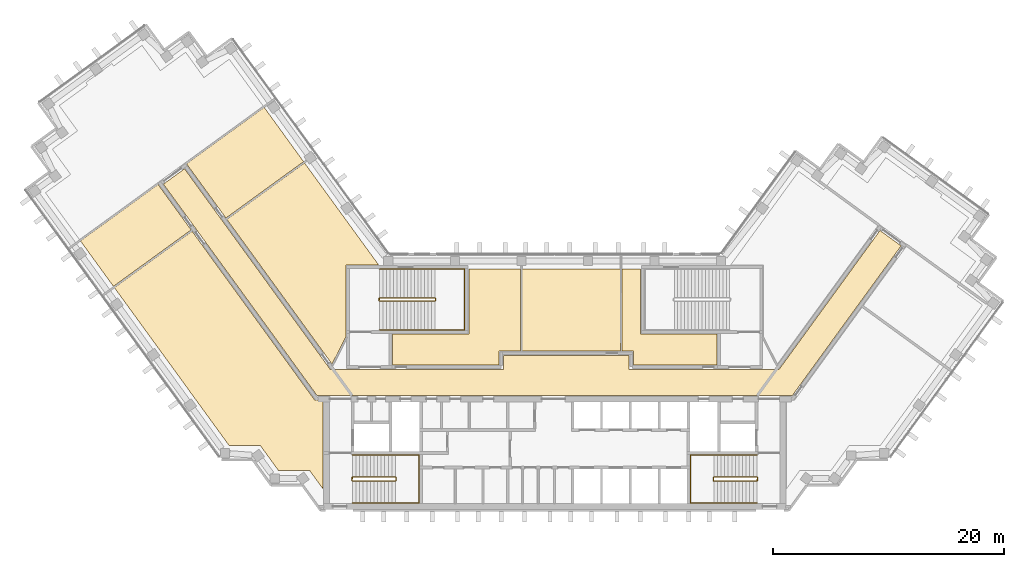
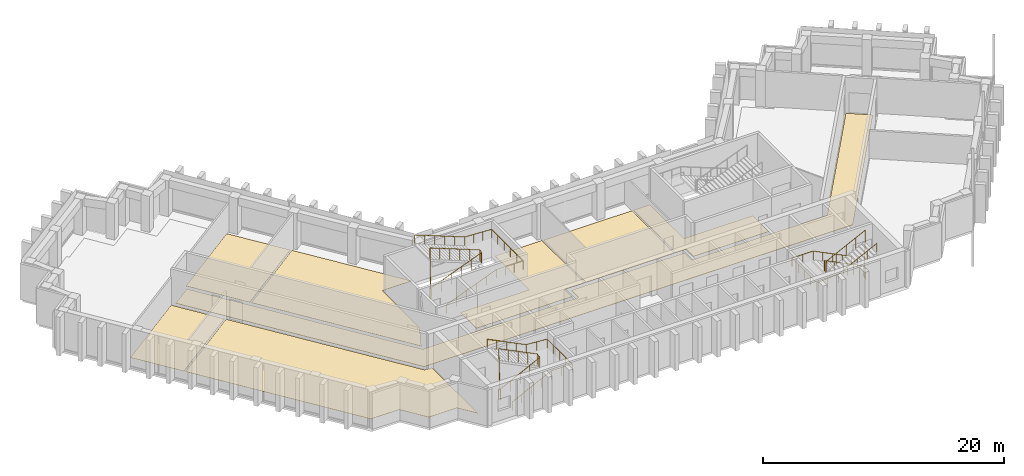
# One storey, part 8 of 9: 8 coverings, 6 railings.
"""IFC4 building model written with IfcOpenShell, lengths in metres."""

import ifcopenshell
import ifcopenshell.guid

model = None  # the IFC model being written
_history = None  # IfcOwnerHistory: only IFC2X3 demands one
_inside = {}  # id of a spatial element -> (the spatial element, [elements in it])
_under = {}  # id of a project, library or spatial element -> (it, [spatial elements below it])
_declared = {}  # id of a project -> (the project, [libraries it declares])
_typed = {}  # id of a type object -> (the type object, [elements of that type])
_made_of = {}  # id of a material, layer set ... -> (it, [elements and type objects made of it])


def new_model(schema):
    """Start an empty IFC model of exactly this schema.

    Asked for "IFC4X3", IfcOpenShell would pick the latest addendum, in which some entities
    have other attributes; the version numbers below select the first issue.
    IFC2X3 requires an IfcOwnerHistory on every rooted entity: one is made here for all.
    """
    global model, _history
    if schema == "IFC4X3":
        model = ifcopenshell.file(schema_version=(4, 3, 0, 0))
    else:
        model = ifcopenshell.file(schema=schema)
    _inside.clear()
    _under.clear()
    _declared.clear()
    _typed.clear()
    _made_of.clear()
    _history = None
    if model.schema == "IFC2X3":
        org = make("IfcOrganization", Name="unknown")
        user = make(
            "IfcPersonAndOrganization",
            ThePerson=make("IfcPerson", FamilyName="unknown"),
            TheOrganization=org,
        )
        app = make(
            "IfcApplication",
            ApplicationDeveloper=org,
            Version="unknown",
            ApplicationFullName="unknown",
            ApplicationIdentifier="unknown",
        )
        _history = make(
            "IfcOwnerHistory",
            OwningUser=user,
            OwningApplication=app,
            ChangeAction="ADDED",
            CreationDate=0,
        )
    return model


def make(cls, **values):
    """One entity of the class cls with the attributes given. An attribute that is None is left unset."""
    return model.create_entity(
        cls, **{name: value for name, value in values.items() if value is not None}
    )


def rooted(cls, **values):
    """An entity with a GlobalId (a new one), such as an element, a storey or a relation."""
    return make(cls, GlobalId=ifcopenshell.guid.new(), OwnerHistory=_history, **values)


def si_unit(unit_type, name, prefix=None):
    """IfcSIUnit, for example si_unit("LENGTHUNIT", "METRE", prefix="MILLI")."""
    return make("IfcSIUnit", UnitType=unit_type, Prefix=prefix, Name=name)


def assignment(units):
    """IfcUnitAssignment: the units of a project."""
    return None if units is None else make("IfcUnitAssignment", Units=units)


def point(xyz):
    """IfcCartesianPoint."""
    return None if xyz is None else make("IfcCartesianPoint", Coordinates=xyz)


def direction(xyz):
    """IfcDirection."""
    return None if xyz is None else make("IfcDirection", DirectionRatios=xyz)


def frame(location, z_axis=None, x_axis=None):
    """IfcAxis2Placement3D, a coordinate frame: its origin and axes. An axis left out is left unset."""
    return make(
        "IfcAxis2Placement3D",
        Location=point(location),
        Axis=direction(z_axis),
        RefDirection=direction(x_axis),
    )


def frame_2d(location, x_axis=None):
    """IfcAxis2Placement2D, a coordinate frame in the plane: its origin and x axis."""
    return make(
        "IfcAxis2Placement2D", Location=point(location), RefDirection=direction(x_axis)
    )


def origin():
    """The frame at (0, 0, 0) with its axes left unset."""
    return frame((0.0, 0.0, 0.0))


def origin_2d():
    """The frame at (0, 0) in the plane with its x axis left unset."""
    return frame_2d((0.0, 0.0))


def place(relative_to, where):
    """IfcLocalPlacement: puts the frame where relative to a parent placement (None: the world)."""
    return make(
        "IfcLocalPlacement", PlacementRelTo=relative_to, RelativePlacement=where
    )


def context(
    kind, dimensions, precision=None, world=None, true_north=None, identifier=None
):
    """IfcGeometricRepresentationContext, for example the 3D "Model" context."""
    return make(
        "IfcGeometricRepresentationContext",
        ContextIdentifier=identifier,
        ContextType=kind,
        CoordinateSpaceDimension=dimensions,
        Precision=precision,
        WorldCoordinateSystem=world,
        TrueNorth=true_north,
    )


def subcontext(parent, identifier, kind, view, scale=None):
    """IfcGeometricRepresentationSubContext, for example "Body" below "Model"."""
    return make(
        "IfcGeometricRepresentationSubContext",
        ContextIdentifier=identifier,
        ContextType=kind,
        ParentContext=parent,
        TargetScale=scale,
        TargetView=view,
    )


def project(units=None, contexts=None):
    """IfcProject with its units and contexts."""
    return rooted(
        "IfcProject",
        Name="project",
        RepresentationContexts=contexts,
        UnitsInContext=assignment(units),
    )


def spatial(cls, under=None, at=None, **own):
    """A site, building, storey or space (cls), placed at a placement, below another one or the project."""
    s = rooted(cls, ObjectPlacement=at, **own)
    if under is not None:
        _under.setdefault(under.id(), (under, []))[1].append(s)
    return s


def polyline(points):
    """IfcPolyline through the points."""
    return make("IfcPolyline", Points=[point(p) for p in points])


def profile(cls, at=None, kind="AREA", **sizes):
    """A parametric profile (cls). Its sizes go by their IFC names, for example OverallWidth=200.0."""
    return make(cls, ProfileType=kind, Position=at, **sizes)


def circle(**sizes):
    """IfcCircleProfileDef."""
    return profile("IfcCircleProfileDef", **sizes)


def outline(outer, holes=None, kind="AREA"):
    """IfcArbitraryClosedProfileDef: a profile drawn as a closed curve; with holes, ...WithVoids."""
    if holes is None:
        return make("IfcArbitraryClosedProfileDef", ProfileType=kind, OuterCurve=outer)
    return make(
        "IfcArbitraryProfileDefWithVoids",
        ProfileType=kind,
        OuterCurve=outer,
        InnerCurves=holes,
    )


def extrude(swept, where, along, depth):
    """IfcExtrudedAreaSolid: the profile swept, set in the frame where, extruded along a direction by depth."""
    return make(
        "IfcExtrudedAreaSolid",
        SweptArea=swept,
        Position=where,
        ExtrudedDirection=direction(along),
        Depth=depth,
    )


def shape(context_of_items, identifier, shape_type, items):
    """IfcShapeRepresentation: the items that make up one representation, for example the "Body"."""
    return make(
        "IfcShapeRepresentation",
        ContextOfItems=context_of_items,
        RepresentationIdentifier=identifier,
        RepresentationType=shape_type,
        Items=items,
    )


def material(Name=None, Category=None):
    """IfcMaterial."""
    return make("IfcMaterial", Name=Name, Category=Category)


def layer(
    of_material, thickness, ventilated=None, Name=None, Category=None, Priority=None
):
    """IfcMaterialLayer: one layer of a wall or slab, of a material (None: an air gap)."""
    return make(
        "IfcMaterialLayer",
        Material=of_material,
        LayerThickness=thickness,
        IsVentilated=ventilated,
        Name=Name,
        Category=Category,
        Priority=Priority,
    )


def layer_set(layers, Name=None):
    """IfcMaterialLayerSet."""
    return make("IfcMaterialLayerSet", MaterialLayers=layers, LayerSetName=Name)


def made_of(thing, what):
    """Note that an element or type object is made of a material, layer set ...; save() writes the relation."""
    if what is not None:
        _made_of.setdefault(what.id(), (what, []))[1].append(thing)
    return thing


def type_object(cls, material=None, **own):
    """A type object (cls), such as IfcWallType, which elements share."""
    return made_of(rooted(cls, **own), material)


def element(
    cls,
    number,
    at=None,
    inside=None,
    cuts=None,
    type_object=None,
    material=None,
    context=None,
    identifier="Body",
    shape_type=None,
    held_by="IfcProductDefinitionShape",
    body=None,
    shapes=None,
    **own,
):
    """One element of the class cls, such as IfcWall. Its Tag is "e" and its number.

    at: its placement. inside: the storey or other place that contains it. cuts: it is an
    opening in that element (IfcRelVoidsElement). A single representation is given by context,
    identifier, shape_type and body (its items); several are given by shapes. held_by: the class
    of the entity that holds the representations. save() writes the other relations.
    """
    e = rooted(cls, Tag="e%d" % number, ObjectPlacement=at, **own)
    if body is not None:
        shapes = [shape(context, identifier, shape_type, body)]
    if shapes is not None:
        e.Representation = make(held_by, Representations=shapes)
    if inside is not None:
        _inside.setdefault(inside.id(), (inside, []))[1].append(e)
    if cuts is not None:
        rooted(
            "IfcRelVoidsElement", RelatingBuildingElement=cuts, RelatedOpeningElement=e
        )
    if type_object is not None:
        _typed.setdefault(type_object.id(), (type_object, []))[1].append(e)
    return made_of(e, material)


def aggregate(whole, parts):
    """IfcRelAggregates: a whole, such as a stair, and the parts it consists of."""
    return rooted("IfcRelAggregates", RelatingObject=whole, RelatedObjects=parts)


def save(model, path):
    """Write the relations noted so far, then the file.

    IfcRelAggregates (storeys below a building ...), IfcRelContainedInSpatialStructure (elements
    in a storey), IfcRelDefinesByType, IfcRelAssociatesMaterial and IfcRelDeclares: one each for
    every whole, place, type object, material and project.
    """
    for whole, parts in _under.values():
        aggregate(whole, parts)
    for where, things in _inside.values():
        rooted(
            "IfcRelContainedInSpatialStructure",
            RelatedElements=things,
            RelatingStructure=where,
        )
    for kind, things in _typed.values():
        rooted("IfcRelDefinesByType", RelatedObjects=things, RelatingType=kind)
    for what, things in _made_of.values():
        rooted("IfcRelAssociatesMaterial", RelatedObjects=things, RelatingMaterial=what)
    for by, libraries in _declared.values():
        rooted("IfcRelDeclares", RelatingContext=by, RelatedDefinitions=libraries)
    model.write(path)


model = new_model("IFC4")

# Units and contexts
model_context = context("Model", 3, precision=1e-05, world=origin(), true_north=direction((0.0, 1.0)))
body_context = subcontext(model_context, "Body", "Model", "MODEL_VIEW")
ifc_project = project(units=[si_unit("LENGTHUNIT", "METRE"), si_unit("AREAUNIT", "SQUARE_METRE"), si_unit("VOLUMEUNIT", "CUBIC_METRE"), si_unit("PLANEANGLEUNIT", "RADIAN"), si_unit("MASSUNIT", "GRAM", prefix="KILO")], contexts=[model_context])

# Site, building, storey
site_placement = place(None, origin())
site = spatial("IfcSite", under=ifc_project, at=site_placement, CompositionType="ELEMENT")
building_placement = place(site_placement, origin())
building = spatial("IfcBuilding", under=site, at=building_placement, Name="Quipu Civic Tower", CompositionType="ELEMENT")
storey_placement = place(building_placement, frame((0.0, 0.0, 214.0)))
storey = spatial("IfcBuildingStorey", under=building, at=storey_placement, Name="L50", CompositionType="ELEMENT", Elevation=214.0)

# Coverings
ifc_material_1 = material(Name="Carpet tile on raised access floor")
ifc_layer_1 = layer(ifc_material_1, 0.02001953125)
ifc_layer_set_1 = layer_set([ifc_layer_1], Name="Carpet tile on raised access floor")
covering_type_1 = type_object("IfcCoveringType", Name="Carpet tile floor finish 20", PredefinedType="FLOORING", material=ifc_layer_set_1)
covering_1_placement = place(storey_placement, origin())
element("IfcCovering", 1, at=covering_1_placement, inside=storey, type_object=covering_type_1, Name="Carpet tile floor finish 20", PredefinedType="FLOORING", context=body_context, shape_type="SweptSolid", body=[
    extrude(outline(polyline([(-2.80908203125, 2.719970703125), (-2.80908203125, 9.830078125), (5.68798828125, 9.830078125), (5.68798828125, 2.719970703125), (-2.80908203125, 2.719970703125)])), origin(), (0.0, 0.0, 1.0), 0.02001953125),
])
covering_2_placement = place(storey_placement, origin())
element("IfcCovering", 2, at=covering_2_placement, inside=storey, type_object=covering_type_1, Name="Carpet tile floor finish 20", PredefinedType="FLOORING", context=body_context, shape_type="SweptSolid", body=[
    extrude(outline(polyline([(-28.37109375, 14.10888671875), (-21.64794921875, 18.992919921875), (-15.238037109375, 10.169921875), (-18.070068359375, 10.1689453125), (-18.070068359375, 3.94189453125), (-19.27197265625, 1.583984375), (-28.37109375, 14.10888671875)])), origin(), (0.0, 0.0, 1.0), 0.02001953125),
])
covering_3_placement = place(storey_placement, origin())
element("IfcCovering", 3, at=covering_3_placement, inside=storey, type_object=covering_type_1, Name="Carpet tile floor finish 20", PredefinedType="FLOORING", context=body_context, shape_type="SweptSolid", body=[
    extrude(outline(polyline([(-31.865966796875, 18.9189453125), (-25.14306640625, 23.802978515625), (-21.73095703125, 19.10595703125), (-28.4541015625, 14.221923828125), (-31.865966796875, 18.9189453125)])), origin(), (0.0, 0.0, 1.0), 0.02001953125),
])
covering_4_placement = place(storey_placement, origin())
element("IfcCovering", 4, at=covering_4_placement, inside=storey, type_object=covering_type_1, Name="Carpet tile floor finish 20", PredefinedType="FLOORING", context=body_context, shape_type="SweptSolid", body=[
    extrude(outline(polyline([(-38.10693359375, 8.198974609375), (-31.383056640625, 13.08203125), (-20.77490234375, -1.51904296875), (-20.070068359375, -1.52001953125), (-20.070068359375, -9.195068359375), (-21.196044921875, -7.64599609375), (-23.89501953125, -7.64599609375), (-25.48193359375, -5.4619140625), (-28.181884765625, -5.4609375), (-38.10693359375, 8.198974609375)])), origin(), (0.0, 0.0, 1.0), 0.02001953125),
])
covering_5_placement = place(storey_placement, origin())
element("IfcCovering", 5, at=covering_5_placement, inside=storey, type_object=covering_type_1, Name="Carpet tile floor finish 20", PredefinedType="FLOORING", context=body_context, shape_type="SweptSolid", body=[
    extrude(outline(polyline([(-41.048095703125, 12.2470703125), (-34.324951171875, 17.131103515625), (-31.466064453125, 13.195068359375), (-38.18994140625, 8.31201171875), (-41.048095703125, 12.2470703125)])), origin(), (0.0, 0.0, 1.0), 0.02001953125),
])
ifc_material_2 = material(Name="Ceramic floor tile")
ifc_layer_2 = layer(ifc_material_2, 0.030029296875)
ifc_layer_set_2 = layer_set([ifc_layer_2], Name="Ceramic floor tile")
covering_type_2 = type_object("IfcCoveringType", Name="Ceramic tile floor finish 30", PredefinedType="FLOORING", material=ifc_layer_set_2)
covering_6_placement = place(storey_placement, origin())
element("IfcCovering", 6, at=covering_6_placement, inside=storey, type_object=covering_type_2, Name="Ceramic tile floor finish 30", PredefinedType="FLOORING", context=body_context, shape_type="SweptSolid", body=[
    extrude(outline(polyline([(-14.030029296875, 1.52001953125), (-14.030029296875, 4.179931640625), (-7.429931640625, 4.180908203125), (-7.429931640625, 9.830078125), (-2.948974609375, 9.830078125), (-2.948974609375, 2.719970703125), (-4.819091796875, 2.719970703125), (-4.820068359375, 1.52001953125), (-14.030029296875, 1.52001953125)])), origin(), (0.0, 0.0, 1.0), 0.030029296875),
])
covering_7_placement = place(storey_placement, origin())
element("IfcCovering", 7, at=covering_7_placement, inside=storey, type_object=covering_type_2, Name="Ceramic tile floor finish 30", PredefinedType="FLOORING", context=body_context, shape_type="SweptSolid", body=[
    extrude(outline(polyline([(5.827880859375, 2.719970703125), (5.827880859375, 9.830078125), (7.429931640625, 9.830078125), (7.430908203125, 4.179931640625), (14.030029296875, 4.179931640625), (14.030029296875, 1.52001953125), (6.820068359375, 1.52001953125), (6.820068359375, 2.718994140625), (5.827880859375, 2.719970703125)])), origin(), (0.0, 0.0, 1.0), 0.030029296875),
])

# Railings
ifc_material_3 = material(Name="Stainless steel", Category="steel")
railing_type_1 = type_object("IfcRailingType", Name="Stair guard 1100", PredefinedType="GUARDRAIL", material=ifc_material_3)
railing_1_placement = place(storey_placement, frame((-17.5, -8.550048828125, 0.15380859375)))
element("IfcRailing", 8, at=railing_1_placement, inside=storey, type_object=railing_type_1, Name="Stair 1 guard", PredefinedType="GUARDRAIL", context=body_context, shape_type="SweptSolid", body=[
    extrude(circle(Radius=0.02392578125, at=origin_2d()), frame((0.0, 0.0, 1.076171875), z_axis=(0.895751851347, 0.0, 0.444554407028), x_axis=(0.0, 1.0, 0.0)), (0.0, 0.0, 1.0), 4.15283203125),
    extrude(circle(Radius=0.02392578125, at=origin_2d()), frame((3.719970703125, 0.0, 2.92236328125), z_axis=(0.707106781187, 0.707106781187, 0.0), x_axis=(-0.707106781187, 0.707106781187, 0.0)), (0.0, 0.0, 1.0), 0.07080078125),
    extrude(circle(Radius=0.02392578125, at=origin_2d()), frame((3.77001953125, 0.050048828125, 2.92236328125), z_axis=(0.0, 1.0, 0.0), x_axis=(-1.0, 0.0, 0.0)), (0.0, 0.0, 1.0), 0.25),
    extrude(circle(Radius=0.02392578125, at=origin_2d()), frame((3.77001953125, 0.300048828125, 2.92236328125), z_axis=(-0.295599637079, 0.295599637079, 0.908428152975), x_axis=(-0.707106781187, -0.707106781187, 0.0)), (0.0, 0.0, 1.0), 0.16943359375),
    extrude(circle(Radius=0.02392578125, at=origin_2d()), frame((3.719970703125, 0.35009765625, 3.076171875), z_axis=(-0.895751851347, 0.0, 0.444554407028), x_axis=(0.0, -1.0, 0.0)), (0.0, 0.0, 1.0), 4.15283203125),
    extrude(circle(Radius=0.02392578125, at=origin_2d()), frame((0.0, 0.35009765625, 4.92236328125), z_axis=(-0.012476181752, -0.074796231092, -0.997120789425), x_axis=(0.986372223864, -0.164529134168, 0.0)), (0.0, 0.0, 1.0), 4.011474609375),
    extrude(circle(Radius=0.02392578125, at=origin_2d()), frame((-0.050048828125, 0.050048828125, 0.92236328125), z_axis=(0.0, 1.0, 0.0), x_axis=(-1.0, 0.0, 0.0)), (0.0, 0.0, 1.0), 0.25),
    extrude(circle(Radius=0.02099609375, at=origin_2d()), origin(), (0.0, 0.0, 1.0), 1.052001953125),
    extrude(circle(Radius=0.02099609375, at=origin_2d()), frame((0.929931640625, 0.0, 0.46142578125)), (0.0, 0.0, 1.0), 1.052001953125),
    extrude(circle(Radius=0.02099609375, at=origin_2d()), frame((1.85986328125, 0.0, 0.923095703125)), (0.0, 0.0, 1.0), 1.052001953125),
    extrude(circle(Radius=0.02099609375, at=origin_2d()), frame((2.7900390625, 0.0, 1.384765625)), (0.0, 0.0, 1.0), 1.052001953125),
    extrude(circle(Radius=0.02099609375, at=origin_2d()), frame((3.719970703125, 0.0, 1.84619140625)), (0.0, 0.0, 1.0), 1.052001953125),
    extrude(circle(Radius=0.02099609375, at=origin_2d()), frame((3.77001953125, 0.050048828125, 1.84619140625)), (0.0, 0.0, 1.0), 1.052001953125),
    extrude(circle(Radius=0.02099609375, at=origin_2d()), frame((3.77001953125, 0.300048828125, 1.84619140625)), (0.0, 0.0, 1.0), 1.052001953125),
    extrude(circle(Radius=0.02099609375, at=origin_2d()), frame((3.719970703125, 0.35009765625, 2.0)), (0.0, 0.0, 1.0), 1.052001953125),
    extrude(circle(Radius=0.02099609375, at=origin_2d()), frame((2.7900390625, 0.35009765625, 2.46142578125)), (0.0, 0.0, 1.0), 1.052001953125),
    extrude(circle(Radius=0.02099609375, at=origin_2d()), frame((1.85986328125, 0.35009765625, 2.923095703125)), (0.0, 0.0, 1.0), 1.052001953125),
    extrude(circle(Radius=0.02099609375, at=origin_2d()), frame((0.929931640625, 0.35009765625, 3.384765625)), (0.0, 0.0, 1.0), 1.052001953125),
    extrude(circle(Radius=0.02099609375, at=origin_2d()), frame((0.0, 0.35009765625, 3.84619140625)), (0.0, 0.0, 1.0), 1.052001953125),
    extrude(circle(Radius=0.02099609375, at=origin_2d()), frame((-0.012451171875, 0.275146484375, 2.84619140625)), (0.0, 0.0, 1.0), 1.052001953125),
    extrude(circle(Radius=0.02099609375, at=origin_2d()), frame((-0.02490234375, 0.2001953125, 1.84619140625)), (0.0, 0.0, 1.0), 1.052001953125),
    extrude(circle(Radius=0.02099609375, at=origin_2d()), frame((-0.03759765625, 0.125, 0.84619140625)), (0.0, 0.0, 1.0), 1.052001953125),
    extrude(circle(Radius=0.02099609375, at=origin_2d()), frame((-0.050048828125, 0.050048828125, -0.15380859375)), (0.0, 0.0, 1.0), 1.052001953125),
    extrude(circle(Radius=0.02099609375, at=origin_2d()), frame((-0.050048828125, 0.300048828125, -0.15380859375)), (0.0, 0.0, 1.0), 1.052001953125),
])
railing_2_placement = place(storey_placement, frame((17.5, -8.199951171875, 0.15380859375)))
element("IfcRailing", 9, at=railing_2_placement, inside=storey, type_object=railing_type_1, Name="Stair 2 guard", PredefinedType="GUARDRAIL", context=body_context, shape_type="SweptSolid", body=[
    extrude(circle(Radius=0.02392578125, at=origin_2d()), frame((0.0, 0.0, 1.076171875), z_axis=(-0.895751851347, 0.0, 0.444554407028), x_axis=(0.0, -1.0, 0.0)), (0.0, 0.0, 1.0), 4.15283203125),
    extrude(circle(Radius=0.02392578125, at=origin_2d()), frame((-3.719970703125, 0.0, 2.92236328125), z_axis=(-0.707106781187, -0.707106781187, 0.0), x_axis=(0.707106781187, -0.707106781187, 0.0)), (0.0, 0.0, 1.0), 0.07080078125),
    extrude(circle(Radius=0.02392578125, at=origin_2d()), frame((-3.77001953125, -0.050048828125, 2.92236328125), z_axis=(0.0, -1.0, 0.0), x_axis=(1.0, 0.0, 0.0)), (0.0, 0.0, 1.0), 0.25),
    extrude(circle(Radius=0.02392578125, at=origin_2d()), frame((-3.77001953125, -0.300048828125, 2.92236328125), z_axis=(0.295599637079, -0.295599637079, 0.908428152975), x_axis=(0.707106781187, 0.707106781187, 0.0)), (0.0, 0.0, 1.0), 0.16943359375),
    extrude(circle(Radius=0.02392578125, at=origin_2d()), frame((-3.719970703125, -0.35009765625, 3.076171875), z_axis=(0.895751851347, 0.0, 0.444554407028), x_axis=(0.0, 1.0, 0.0)), (0.0, 0.0, 1.0), 4.15283203125),
    extrude(circle(Radius=0.02392578125, at=origin_2d()), frame((0.0, -0.35009765625, 4.92236328125), z_axis=(0.012476181752, 0.074796231092, -0.997120789425), x_axis=(-0.986372223864, 0.164529134168, 0.0)), (0.0, 0.0, 1.0), 4.011474609375),
    extrude(circle(Radius=0.02392578125, at=origin_2d()), frame((0.050048828125, -0.050048828125, 0.92236328125), z_axis=(0.0, -1.0, 0.0), x_axis=(1.0, 0.0, 0.0)), (0.0, 0.0, 1.0), 0.25),
    extrude(circle(Radius=0.02099609375, at=origin_2d()), origin(), (0.0, 0.0, 1.0), 1.052001953125),
    extrude(circle(Radius=0.02099609375, at=origin_2d()), frame((-0.929931640625, 0.0, 0.46142578125)), (0.0, 0.0, 1.0), 1.052001953125),
    extrude(circle(Radius=0.02099609375, at=origin_2d()), frame((-1.85986328125, 0.0, 0.923095703125)), (0.0, 0.0, 1.0), 1.052001953125),
    extrude(circle(Radius=0.02099609375, at=origin_2d()), frame((-2.7900390625, 0.0, 1.384765625)), (0.0, 0.0, 1.0), 1.052001953125),
    extrude(circle(Radius=0.02099609375, at=origin_2d()), frame((-3.719970703125, 0.0, 1.84619140625)), (0.0, 0.0, 1.0), 1.052001953125),
    extrude(circle(Radius=0.02099609375, at=origin_2d()), frame((-3.77001953125, -0.050048828125, 1.84619140625)), (0.0, 0.0, 1.0), 1.052001953125),
    extrude(circle(Radius=0.02099609375, at=origin_2d()), frame((-3.77001953125, -0.300048828125, 1.84619140625)), (0.0, 0.0, 1.0), 1.052001953125),
    extrude(circle(Radius=0.02099609375, at=origin_2d()), frame((-3.719970703125, -0.35009765625, 2.0)), (0.0, 0.0, 1.0), 1.052001953125),
    extrude(circle(Radius=0.02099609375, at=origin_2d()), frame((-2.7900390625, -0.35009765625, 2.46142578125)), (0.0, 0.0, 1.0), 1.052001953125),
    extrude(circle(Radius=0.02099609375, at=origin_2d()), frame((-1.85986328125, -0.35009765625, 2.923095703125)), (0.0, 0.0, 1.0), 1.052001953125),
    extrude(circle(Radius=0.02099609375, at=origin_2d()), frame((-0.929931640625, -0.35009765625, 3.384765625)), (0.0, 0.0, 1.0), 1.052001953125),
    extrude(circle(Radius=0.02099609375, at=origin_2d()), frame((0.0, -0.35009765625, 3.84619140625)), (0.0, 0.0, 1.0), 1.052001953125),
    extrude(circle(Radius=0.02099609375, at=origin_2d()), frame((0.012451171875, -0.275146484375, 2.84619140625)), (0.0, 0.0, 1.0), 1.052001953125),
    extrude(circle(Radius=0.02099609375, at=origin_2d()), frame((0.02490234375, -0.2001953125, 1.84619140625)), (0.0, 0.0, 1.0), 1.052001953125),
    extrude(circle(Radius=0.02099609375, at=origin_2d()), frame((0.03759765625, -0.125, 0.84619140625)), (0.0, 0.0, 1.0), 1.052001953125),
    extrude(circle(Radius=0.02099609375, at=origin_2d()), frame((0.050048828125, -0.050048828125, -0.15380859375)), (0.0, 0.0, 1.0), 1.052001953125),
    extrude(circle(Radius=0.02099609375, at=origin_2d()), frame((0.050048828125, -0.300048828125, -0.15380859375)), (0.0, 0.0, 1.0), 1.052001953125),
])
railing_3_placement = place(storey_placement, frame((-15.14990234375, 7.050048828125, 0.11767578125)))
element("IfcRailing", 10, at=railing_3_placement, inside=storey, type_object=railing_type_1, Name="Stair 3 guard", PredefinedType="GUARDRAIL", context=body_context, shape_type="SweptSolid", body=[
    extrude(circle(Radius=0.02392578125, at=origin_2d()), frame((0.0, 0.0, 1.076171875), z_axis=(0.930970042603, 0.0, 0.365095576219), x_axis=(0.0, 1.0, 0.0)), (0.0, 0.0, 1.0), 5.15576171875),
    extrude(circle(Radius=0.02392578125, at=origin_2d()), frame((4.7998046875, 0.0, 2.95849609375), z_axis=(0.707106781187, 0.707106781187, 0.0), x_axis=(-0.707106781187, 0.707106781187, 0.0)), (0.0, 0.0, 1.0), 0.07080078125),
    extrude(circle(Radius=0.02392578125, at=origin_2d()), frame((4.849853515625, 0.050048828125, 2.95849609375), z_axis=(0.0, 1.0, 0.0), x_axis=(-1.0, 0.0, 0.0)), (0.0, 0.0, 1.0), 0.14990234375),
    extrude(circle(Radius=0.02392578125, at=origin_2d()), frame((4.849853515625, 0.199951171875, 2.95849609375), z_axis=(-0.364463019033, 0.364463019033, 0.856932561824), x_axis=(-0.707106781187, -0.707106781187, 0.0)), (0.0, 0.0, 1.0), 0.13720703125),
    extrude(circle(Radius=0.02392578125, at=origin_2d()), frame((4.7998046875, 0.25, 3.076171875), z_axis=(-0.930970042603, 0.0, 0.365095576219), x_axis=(0.0, -1.0, 0.0)), (0.0, 0.0, 1.0), 5.15576171875),
    extrude(circle(Radius=0.02392578125, at=origin_2d()), frame((0.0, 0.25, 4.95849609375), z_axis=(-0.012495627992, -0.049921557685, -0.998674970829), x_axis=(0.970072785993, -0.242814311512, 0.0)), (0.0, 0.0, 1.0), 4.00537109375),
    extrude(circle(Radius=0.02392578125, at=origin_2d()), frame((-0.050048828125, 0.050048828125, 0.95849609375), z_axis=(0.0, 1.0, 0.0), x_axis=(-1.0, 0.0, 0.0)), (0.0, 0.0, 1.0), 0.14990234375),
    extrude(circle(Radius=0.02099609375, at=origin_2d()), origin(), (0.0, 0.0, 1.0), 1.052001953125),
    extrude(circle(Radius=0.02099609375, at=origin_2d()), frame((0.9599609375, 0.0, 0.37646484375)), (0.0, 0.0, 1.0), 1.052001953125),
    extrude(circle(Radius=0.02099609375, at=origin_2d()), frame((1.919921875, 0.0, 0.7529296875)), (0.0, 0.0, 1.0), 1.052001953125),
    extrude(circle(Radius=0.02099609375, at=origin_2d()), frame((2.8798828125, 0.0, 1.12939453125)), (0.0, 0.0, 1.0), 1.052001953125),
    extrude(circle(Radius=0.02099609375, at=origin_2d()), frame((3.83984375, 0.0, 1.505859375)), (0.0, 0.0, 1.0), 1.052001953125),
    extrude(circle(Radius=0.02099609375, at=origin_2d()), frame((4.7998046875, 0.0, 1.88232421875)), (0.0, 0.0, 1.0), 1.052001953125),
    extrude(circle(Radius=0.02099609375, at=origin_2d()), frame((4.849853515625, 0.050048828125, 1.88232421875)), (0.0, 0.0, 1.0), 1.052001953125),
    extrude(circle(Radius=0.02099609375, at=origin_2d()), frame((4.849853515625, 0.199951171875, 1.88232421875)), (0.0, 0.0, 1.0), 1.052001953125),
    extrude(circle(Radius=0.02099609375, at=origin_2d()), frame((4.7998046875, 0.25, 2.0)), (0.0, 0.0, 1.0), 1.052001953125),
    extrude(circle(Radius=0.02099609375, at=origin_2d()), frame((3.83984375, 0.25, 2.37646484375)), (0.0, 0.0, 1.0), 1.052001953125),
    extrude(circle(Radius=0.02099609375, at=origin_2d()), frame((2.8798828125, 0.25, 2.7529296875)), (0.0, 0.0, 1.0), 1.052001953125),
    extrude(circle(Radius=0.02099609375, at=origin_2d()), frame((1.919921875, 0.25, 3.12939453125)), (0.0, 0.0, 1.0), 1.052001953125),
    extrude(circle(Radius=0.02099609375, at=origin_2d()), frame((0.9599609375, 0.25, 3.505859375)), (0.0, 0.0, 1.0), 1.052001953125),
    extrude(circle(Radius=0.02099609375, at=origin_2d()), frame((0.0, 0.25, 3.88232421875)), (0.0, 0.0, 1.0), 1.052001953125),
    extrude(circle(Radius=0.02099609375, at=origin_2d()), frame((-0.012451171875, 0.199951171875, 2.88232421875)), (0.0, 0.0, 1.0), 1.052001953125),
    extrude(circle(Radius=0.02099609375, at=origin_2d()), frame((-0.02490234375, 0.14990234375, 1.88232421875)), (0.0, 0.0, 1.0), 1.052001953125),
    extrude(circle(Radius=0.02099609375, at=origin_2d()), frame((-0.03759765625, 0.10009765625, 0.88232421875)), (0.0, 0.0, 1.0), 1.052001953125),
    extrude(circle(Radius=0.02099609375, at=origin_2d()), frame((-0.050048828125, 0.050048828125, -0.11767578125)), (0.0, 0.0, 1.0), 1.052001953125),
    extrude(circle(Radius=0.02099609375, at=origin_2d()), frame((-0.050048828125, 0.199951171875, -0.11767578125)), (0.0, 0.0, 1.0), 1.052001953125),
])
ifc_material_4 = material(Name="Stainless steel", Category="steel")
railing_type_2 = type_object("IfcRailingType", Name="Stair handrail", PredefinedType="HANDRAIL", material=ifc_material_4)
railing_4_placement = place(storey_placement, frame((-17.5, -10.449951171875, 0.15380859375)))
element("IfcRailing", 11, at=railing_4_placement, inside=storey, type_object=railing_type_2, Name="Stair 1 handrail", PredefinedType="HANDRAIL", context=body_context, shape_type="SweptSolid", body=[
    extrude(circle(Radius=0.02392578125, at=origin_2d()), frame((0.0, 0.0, 0.8759765625), z_axis=(0.895751851347, 0.0, 0.444554407028), x_axis=(0.0, 1.0, 0.0)), (0.0, 0.0, 1.0), 4.15283203125),
    extrude(circle(Radius=0.02392578125, at=origin_2d()), frame((3.719970703125, 0.0, 2.72216796875), z_axis=(1.0, 0.0, 0.0), x_axis=(0.0, 1.0, 0.0)), (0.0, 0.0, 1.0), 2.030029296875),
    extrude(circle(Radius=0.02392578125, at=origin_2d()), frame((5.75, 0.0, 2.72216796875), z_axis=(0.0, 1.0, 0.0), x_axis=(-1.0, 0.0, 0.0)), (0.0, 0.0, 1.0), 4.14990234375),
    extrude(circle(Radius=0.02392578125, at=origin_2d()), frame((5.75, 4.14990234375, 2.72216796875), z_axis=(-0.997142003663, 0.0, 0.075550145798), x_axis=(0.0, -1.0, 0.0)), (0.0, 0.0, 1.0), 2.035888671875),
    extrude(circle(Radius=0.02392578125, at=origin_2d()), frame((3.719970703125, 4.14990234375, 2.8759765625), z_axis=(-0.895751851347, 0.0, 0.444554407028), x_axis=(0.0, -1.0, 0.0)), (0.0, 0.0, 1.0), 4.15283203125),
    extrude(circle(Radius=0.02099609375, at=origin_2d()), origin(), (0.0, 0.0, 1.0), 0.851806640625),
    extrude(circle(Radius=0.02099609375, at=origin_2d()), frame((0.929931640625, 0.0, 0.46142578125)), (0.0, 0.0, 1.0), 0.851806640625),
    extrude(circle(Radius=0.02099609375, at=origin_2d()), frame((1.85986328125, 0.0, 0.923095703125)), (0.0, 0.0, 1.0), 0.851806640625),
    extrude(circle(Radius=0.02099609375, at=origin_2d()), frame((2.7900390625, 0.0, 1.384765625)), (0.0, 0.0, 1.0), 0.851806640625),
    extrude(circle(Radius=0.02099609375, at=origin_2d()), frame((3.719970703125, 0.0, 1.84619140625)), (0.0, 0.0, 1.0), 0.851806640625),
    extrude(circle(Radius=0.02099609375, at=origin_2d()), frame((4.73486328125, 0.0, 1.84619140625)), (0.0, 0.0, 1.0), 0.851806640625),
    extrude(circle(Radius=0.02099609375, at=origin_2d()), frame((5.75, 0.0, 1.84619140625)), (0.0, 0.0, 1.0), 0.851806640625),
    extrude(circle(Radius=0.02099609375, at=origin_2d()), frame((5.75, 1.03759765625, 1.84619140625)), (0.0, 0.0, 1.0), 0.851806640625),
    extrude(circle(Radius=0.02099609375, at=origin_2d()), frame((5.75, 2.074951171875, 1.84619140625)), (0.0, 0.0, 1.0), 0.851806640625),
    extrude(circle(Radius=0.02099609375, at=origin_2d()), frame((5.75, 3.1123046875, 1.84619140625)), (0.0, 0.0, 1.0), 0.851806640625),
    extrude(circle(Radius=0.02099609375, at=origin_2d()), frame((5.75, 4.14990234375, 1.84619140625)), (0.0, 0.0, 1.0), 0.851806640625),
    extrude(circle(Radius=0.02099609375, at=origin_2d()), frame((4.73486328125, 4.14990234375, 1.923095703125)), (0.0, 0.0, 1.0), 0.851806640625),
    extrude(circle(Radius=0.02099609375, at=origin_2d()), frame((3.719970703125, 4.14990234375, 2.0)), (0.0, 0.0, 1.0), 0.851806640625),
    extrude(circle(Radius=0.02099609375, at=origin_2d()), frame((2.7900390625, 4.14990234375, 2.46142578125)), (0.0, 0.0, 1.0), 0.851806640625),
    extrude(circle(Radius=0.02099609375, at=origin_2d()), frame((1.85986328125, 4.14990234375, 2.923095703125)), (0.0, 0.0, 1.0), 0.851806640625),
    extrude(circle(Radius=0.02099609375, at=origin_2d()), frame((0.929931640625, 4.14990234375, 3.384765625)), (0.0, 0.0, 1.0), 0.851806640625),
    extrude(circle(Radius=0.02099609375, at=origin_2d()), frame((0.0, 4.14990234375, 3.84619140625)), (0.0, 0.0, 1.0), 0.851806640625),
])
railing_5_placement = place(storey_placement, frame((17.5, -6.300048828125, 0.15380859375)))
element("IfcRailing", 12, at=railing_5_placement, inside=storey, type_object=railing_type_2, Name="Stair 2 handrail", PredefinedType="HANDRAIL", context=body_context, shape_type="SweptSolid", body=[
    extrude(circle(Radius=0.02392578125, at=origin_2d()), frame((0.0, 0.0, 0.8759765625), z_axis=(-0.895751851347, 0.0, 0.444554407028), x_axis=(0.0, -1.0, 0.0)), (0.0, 0.0, 1.0), 4.15283203125),
    extrude(circle(Radius=0.02392578125, at=origin_2d()), frame((-3.719970703125, 0.0, 2.72216796875), z_axis=(-1.0, 0.0, 0.0), x_axis=(0.0, -1.0, 0.0)), (0.0, 0.0, 1.0), 2.030029296875),
    extrude(circle(Radius=0.02392578125, at=origin_2d()), frame((-5.75, 0.0, 2.72216796875), z_axis=(0.0, -1.0, 0.0), x_axis=(1.0, 0.0, 0.0)), (0.0, 0.0, 1.0), 4.14990234375),
    extrude(circle(Radius=0.02392578125, at=origin_2d()), frame((-5.75, -4.14990234375, 2.72216796875), z_axis=(0.997142003663, 0.0, 0.075550145798), x_axis=(0.0, 1.0, 0.0)), (0.0, 0.0, 1.0), 2.035888671875),
    extrude(circle(Radius=0.02392578125, at=origin_2d()), frame((-3.719970703125, -4.14990234375, 2.8759765625), z_axis=(0.895751851347, 0.0, 0.444554407028), x_axis=(0.0, 1.0, 0.0)), (0.0, 0.0, 1.0), 4.15283203125),
    extrude(circle(Radius=0.02099609375, at=origin_2d()), origin(), (0.0, 0.0, 1.0), 0.851806640625),
    extrude(circle(Radius=0.02099609375, at=origin_2d()), frame((-0.929931640625, 0.0, 0.46142578125)), (0.0, 0.0, 1.0), 0.851806640625),
    extrude(circle(Radius=0.02099609375, at=origin_2d()), frame((-1.85986328125, 0.0, 0.923095703125)), (0.0, 0.0, 1.0), 0.851806640625),
    extrude(circle(Radius=0.02099609375, at=origin_2d()), frame((-2.7900390625, 0.0, 1.384765625)), (0.0, 0.0, 1.0), 0.851806640625),
    extrude(circle(Radius=0.02099609375, at=origin_2d()), frame((-3.719970703125, 0.0, 1.84619140625)), (0.0, 0.0, 1.0), 0.851806640625),
    extrude(circle(Radius=0.02099609375, at=origin_2d()), frame((-4.73486328125, 0.0, 1.84619140625)), (0.0, 0.0, 1.0), 0.851806640625),
    extrude(circle(Radius=0.02099609375, at=origin_2d()), frame((-5.75, 0.0, 1.84619140625)), (0.0, 0.0, 1.0), 0.851806640625),
    extrude(circle(Radius=0.02099609375, at=origin_2d()), frame((-5.75, -1.03759765625, 1.84619140625)), (0.0, 0.0, 1.0), 0.851806640625),
    extrude(circle(Radius=0.02099609375, at=origin_2d()), frame((-5.75, -2.074951171875, 1.84619140625)), (0.0, 0.0, 1.0), 0.851806640625),
    extrude(circle(Radius=0.02099609375, at=origin_2d()), frame((-5.75, -3.1123046875, 1.84619140625)), (0.0, 0.0, 1.0), 0.851806640625),
    extrude(circle(Radius=0.02099609375, at=origin_2d()), frame((-5.75, -4.14990234375, 1.84619140625)), (0.0, 0.0, 1.0), 0.851806640625),
    extrude(circle(Radius=0.02099609375, at=origin_2d()), frame((-4.73486328125, -4.14990234375, 1.923095703125)), (0.0, 0.0, 1.0), 0.851806640625),
    extrude(circle(Radius=0.02099609375, at=origin_2d()), frame((-3.719970703125, -4.14990234375, 2.0)), (0.0, 0.0, 1.0), 0.851806640625),
    extrude(circle(Radius=0.02099609375, at=origin_2d()), frame((-2.7900390625, -4.14990234375, 2.46142578125)), (0.0, 0.0, 1.0), 0.851806640625),
    extrude(circle(Radius=0.02099609375, at=origin_2d()), frame((-1.85986328125, -4.14990234375, 2.923095703125)), (0.0, 0.0, 1.0), 0.851806640625),
    extrude(circle(Radius=0.02099609375, at=origin_2d()), frame((-0.929931640625, -4.14990234375, 3.384765625)), (0.0, 0.0, 1.0), 0.851806640625),
    extrude(circle(Radius=0.02099609375, at=origin_2d()), frame((0.0, -4.14990234375, 3.84619140625)), (0.0, 0.0, 1.0), 0.851806640625),
])
railing_6_placement = place(storey_placement, frame((-15.14990234375, 4.550048828125, 0.11767578125)))
element("IfcRailing", 13, at=railing_6_placement, inside=storey, type_object=railing_type_2, Name="Stair 3 handrail", PredefinedType="HANDRAIL", context=body_context, shape_type="SweptSolid", body=[
    extrude(circle(Radius=0.02392578125, at=origin_2d()), frame((0.0, 0.0, 0.8759765625), z_axis=(0.930970042603, 0.0, 0.365095576219), x_axis=(0.0, 1.0, 0.0)), (0.0, 0.0, 1.0), 5.15576171875),
    extrude(circle(Radius=0.02392578125, at=origin_2d()), frame((4.7998046875, 0.0, 2.75830078125), z_axis=(1.0, 0.0, 0.0), x_axis=(0.0, 1.0, 0.0)), (0.0, 0.0, 1.0), 2.550048828125),
    extrude(circle(Radius=0.02392578125, at=origin_2d()), frame((7.349853515625, 0.0, 2.75830078125), z_axis=(0.0, 1.0, 0.0), x_axis=(-1.0, 0.0, 0.0)), (0.0, 0.0, 1.0), 5.25),
    extrude(circle(Radius=0.02392578125, at=origin_2d()), frame((7.349853515625, 5.25, 2.75830078125), z_axis=(-0.998936948642, 0.0, 0.04609742549), x_axis=(0.0, -1.0, 0.0)), (0.0, 0.0, 1.0), 2.552734375),
    extrude(circle(Radius=0.02392578125, at=origin_2d()), frame((4.7998046875, 5.25, 2.8759765625), z_axis=(-0.930970042603, 0.0, 0.365095576219), x_axis=(0.0, -1.0, 0.0)), (0.0, 0.0, 1.0), 5.15576171875),
    extrude(circle(Radius=0.02099609375, at=origin_2d()), origin(), (0.0, 0.0, 1.0), 0.851806640625),
    extrude(circle(Radius=0.02099609375, at=origin_2d()), frame((0.9599609375, 0.0, 0.37646484375)), (0.0, 0.0, 1.0), 0.851806640625),
    extrude(circle(Radius=0.02099609375, at=origin_2d()), frame((1.919921875, 0.0, 0.7529296875)), (0.0, 0.0, 1.0), 0.851806640625),
    extrude(circle(Radius=0.02099609375, at=origin_2d()), frame((2.8798828125, 0.0, 1.12939453125)), (0.0, 0.0, 1.0), 0.851806640625),
    extrude(circle(Radius=0.02099609375, at=origin_2d()), frame((3.83984375, 0.0, 1.505859375)), (0.0, 0.0, 1.0), 0.851806640625),
    extrude(circle(Radius=0.02099609375, at=origin_2d()), frame((4.7998046875, 0.0, 1.88232421875)), (0.0, 0.0, 1.0), 0.851806640625),
    extrude(circle(Radius=0.02099609375, at=origin_2d()), frame((5.64990234375, 0.0, 1.88232421875)), (0.0, 0.0, 1.0), 0.851806640625),
    extrude(circle(Radius=0.02099609375, at=origin_2d()), frame((6.499755859375, 0.0, 1.88232421875)), (0.0, 0.0, 1.0), 0.851806640625),
    extrude(circle(Radius=0.02099609375, at=origin_2d()), frame((7.349853515625, 0.0, 1.88232421875)), (0.0, 0.0, 1.0), 0.851806640625),
    extrude(circle(Radius=0.02099609375, at=origin_2d()), frame((7.349853515625, 1.050048828125, 1.88232421875)), (0.0, 0.0, 1.0), 0.851806640625),
    extrude(circle(Radius=0.02099609375, at=origin_2d()), frame((7.349853515625, 2.10009765625, 1.88232421875)), (0.0, 0.0, 1.0), 0.851806640625),
    extrude(circle(Radius=0.02099609375, at=origin_2d()), frame((7.349853515625, 3.14990234375, 1.88232421875)), (0.0, 0.0, 1.0), 0.851806640625),
    extrude(circle(Radius=0.02099609375, at=origin_2d()), frame((7.349853515625, 4.199951171875, 1.88232421875)), (0.0, 0.0, 1.0), 0.851806640625),
    extrude(circle(Radius=0.02099609375, at=origin_2d()), frame((7.349853515625, 5.25, 1.88232421875)), (0.0, 0.0, 1.0), 0.851806640625),
    extrude(circle(Radius=0.02099609375, at=origin_2d()), frame((6.499755859375, 5.25, 1.921630859375)), (0.0, 0.0, 1.0), 0.851806640625),
    extrude(circle(Radius=0.02099609375, at=origin_2d()), frame((5.64990234375, 5.25, 1.960693359375)), (0.0, 0.0, 1.0), 0.851806640625),
    extrude(circle(Radius=0.02099609375, at=origin_2d()), frame((4.7998046875, 5.25, 2.0)), (0.0, 0.0, 1.0), 0.851806640625),
    extrude(circle(Radius=0.02099609375, at=origin_2d()), frame((3.83984375, 5.25, 2.37646484375)), (0.0, 0.0, 1.0), 0.851806640625),
    extrude(circle(Radius=0.02099609375, at=origin_2d()), frame((2.8798828125, 5.25, 2.7529296875)), (0.0, 0.0, 1.0), 0.851806640625),
    extrude(circle(Radius=0.02099609375, at=origin_2d()), frame((1.919921875, 5.25, 3.12939453125)), (0.0, 0.0, 1.0), 0.851806640625),
    extrude(circle(Radius=0.02099609375, at=origin_2d()), frame((0.9599609375, 5.25, 3.505859375)), (0.0, 0.0, 1.0), 0.851806640625),
    extrude(circle(Radius=0.02099609375, at=origin_2d()), frame((0.0, 5.25, 3.88232421875)), (0.0, 0.0, 1.0), 0.851806640625),
])

# Covering
ifc_material_5 = material(Name="Terrazzo floor finish")
ifc_layer_3 = layer(ifc_material_5, 0.0400390625)
ifc_layer_set_3 = layer_set([ifc_layer_3], Name="Terrazzo floor finish")
covering_type_3 = type_object("IfcCoveringType", Name="Terrazzo floor finish 40", PredefinedType="FLOORING", material=ifc_layer_set_3)
covering_8_placement = place(storey_placement, origin())
element("IfcCovering", 14, at=covering_8_placement, inside=storey, type_object=covering_type_3, Name="Terrazzo floor finish 40", PredefinedType="FLOORING", context=body_context, shape_type="SweptSolid", body=[
    extrude(outline(polyline([(19.425048828125, 1.1298828125), (28.155029296875, 13.14697265625), (29.98291015625, 11.819091796875), (20.574951171875, -1.1298828125), (-20.574951171875, -1.1298828125), (-33.863037109375, 17.158935546875), (-32.033935546875, 18.487060546875), (-19.425048828125, 1.1298828125), (-4.429931640625, 1.1298828125), (-4.429931640625, 2.330078125), (6.429931640625, 2.330078125), (6.429931640625, 1.1298828125), (19.425048828125, 1.1298828125)])), origin(), (0.0, 0.0, 1.0), 0.0400390625),
])

save(model, "model.ifc")
